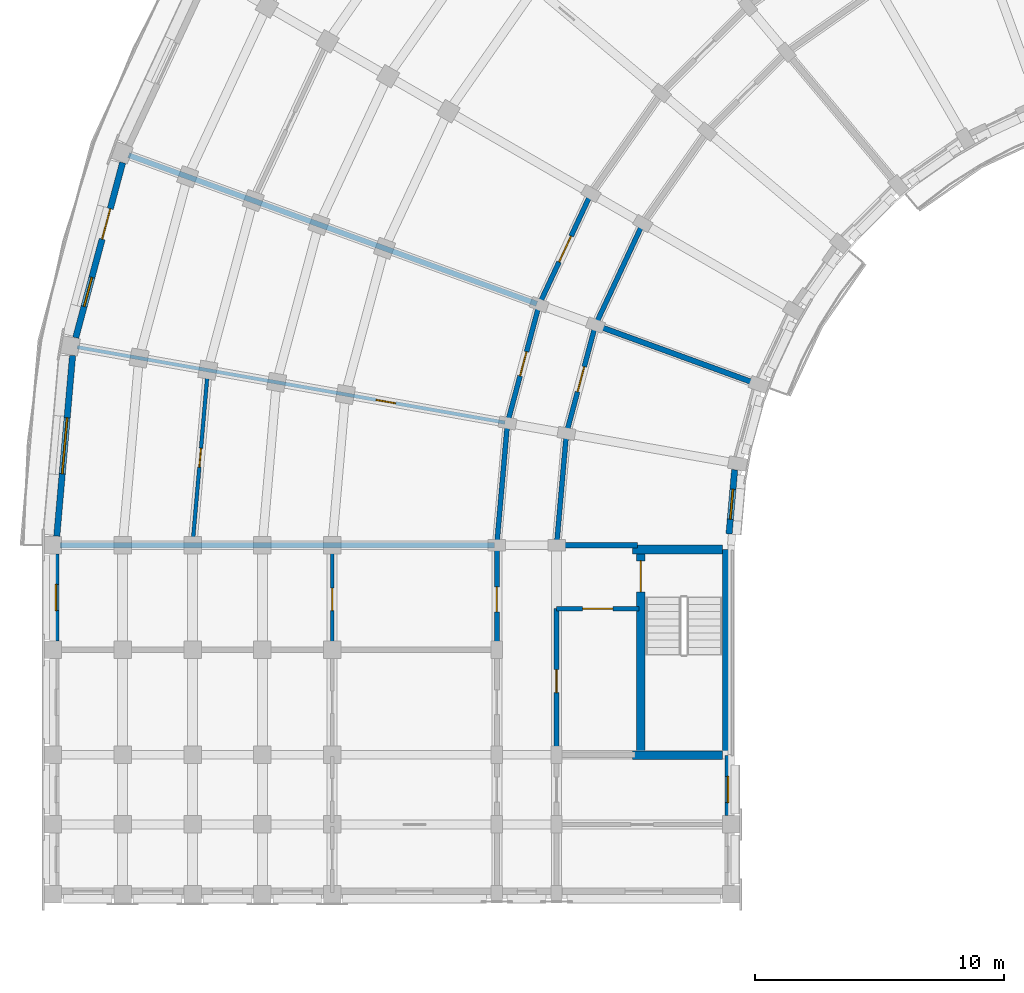
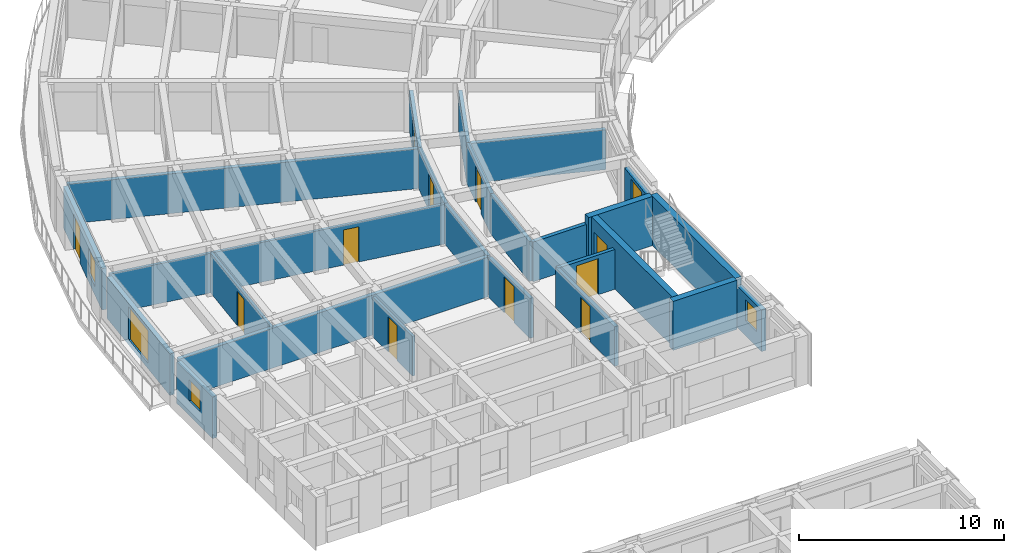
# One storey, part 25 of 57: 25 walls, 11 doors, 5 windows, 16 openings.
"""IFC4 building model written with IfcOpenShell, lengths in metres."""

from ifc_helpers import new_model, si_unit, direction, frame, frame_2d, origin, place, context, subcontext, project, spatial, rectangle, extrude, material, layer, layer_set, type_object, element, fill, save


model = new_model("IFC4")

# Units and contexts
model_context = context("Model", 3, precision=1e-05, world=origin(), true_north=direction((0.0, 1.0)))
body_context = subcontext(model_context, "Body", "Model", "MODEL_VIEW")
ifc_project = project(units=[si_unit("LENGTHUNIT", "METRE"), si_unit("AREAUNIT", "SQUARE_METRE"), si_unit("VOLUMEUNIT", "CUBIC_METRE"), si_unit("PLANEANGLEUNIT", "RADIAN"), si_unit("MASSUNIT", "GRAM", prefix="KILO")], contexts=[model_context])

# Site, building, storey
site_placement = place(None, origin())
site = spatial("IfcSite", under=ifc_project, at=site_placement, CompositionType="ELEMENT")
building_placement = place(site_placement, origin())
building = spatial("IfcBuilding", under=site, at=building_placement, Name="Kiranvali Square Residences", CompositionType="ELEMENT")
storey_placement = place(building_placement, frame((0.0, 0.0, 21.300048828125)))
storey = spatial("IfcBuildingStorey", under=building, at=storey_placement, Name="L06", CompositionType="ELEMENT", Elevation=21.300048828125)

# Wall, opening, door
ifc_material_1 = material(Name="Autoclaved aerated concrete blockwork masonry", Category="masonry")
ifc_layer_1 = layer(ifc_material_1, 0.199951171875)
ifc_layer_set_1 = layer_set([ifc_layer_1], Name="Autoclaved aerated concrete blockwork masonry")
wall_type_1 = type_object("IfcWallType", Name="WL-COR-200", PredefinedType="STANDARD", material=ifc_layer_set_1)
wall_1_placement = place(storey_placement, frame((25.699951171875, 85.25, 0.0), z_axis=(0.0, 0.0, 1.0), x_axis=(-1.0, 0.0, 0.0)))
wall_1 = element("IfcWall", 1, at=wall_1_placement, inside=storey, type_object=wall_type_1, Name="L06 architectural wall WL-L06-A-S3-V", PredefinedType="STANDARD", context=body_context, shape_type="SweptSolid", body=[
    extrude(rectangle(XDim=3.300048828125, YDim=0.199951171875, at=frame_2d((1.64990234375, 0.0))), origin(), (0.0, 0.0, 1.0), 2.3720703125),
])
opening_1_placement = place(wall_1_placement, frame((1.0400390625, 0.0, 0.0)))
opening_1 = element("IfcOpeningElement", 2, at=opening_1_placement, cuts=wall_1, Name="Opening FD-COR-60", PredefinedType="OPENING", context=body_context, shape_type="SweptSolid", body=[
    extrude(rectangle(XDim=1.219970703125, YDim=2.14990234375, at=frame_2d((0.60986328125, 1.074951171875))), frame((0.0, 0.10986328125, 0.0), z_axis=(0.0, -1.0, 0.0), x_axis=(1.0, 0.0, 0.0)), (0.0, 0.0, 1.0), 0.219970703125),
])
ifc_material_2 = material(Name="Fire-rated acoustic hardwood and mineral-core door assembly", Category="wood")
door_type_1 = type_object("IfcDoorType", Name="DR-FD60-1200", OperationType="NOTDEFINED", PredefinedType="DOOR", material=ifc_material_2)
door_1_placement = place(opening_1_placement, frame((1.219970703125, 0.0, 0.0), z_axis=(0.0, 0.0, 1.0), x_axis=(-1.0, 0.0, 0.0)))
door_1 = element("IfcDoor", 3, at=door_1_placement, inside=storey, type_object=door_type_1, Name="L06 door DR-L06-0404 (DR-FD60-1200)", OperationType="SINGLE_SWING_RIGHT", OverallHeight=2.14990234375, OverallWidth=1.219970703125, PredefinedType="DOOR", context=body_context, shape_type="SweptSolid", body=[
    extrude(rectangle(XDim=1.219970703125, YDim=2.14990234375, at=frame_2d((0.60986328125, 1.074951171875))), frame((0.0, 0.02490234375, 0.0), z_axis=(0.0, -1.0, 0.0), x_axis=(1.0, 0.0, 0.0)), (0.0, 0.0, 1.0), 0.050048828125),
])
fill(opening_1, door_1)

wall_2_placement = place(storey_placement, frame((22.39990234375, 85.25, 0.0), z_axis=(0.0, 0.0, 1.0), x_axis=(0.0, -1.0, 0.0)))
wall_2 = element("IfcWall", 4, at=wall_2_placement, inside=storey, type_object=wall_type_1, Name="L06 architectural wall WL-L06-A-S3-COR", PredefinedType="STANDARD", context=body_context, shape_type="SweptSolid", body=[
    extrude(rectangle(XDim=5.800048828125, YDim=0.199951171875, at=frame_2d((2.89990234375, 0.0))), origin(), (0.0, 0.0, 1.0), 2.3720703125),
])
opening_2_placement = place(wall_2_placement, frame((2.43994140625, 0.0, 0.0)))
opening_2 = element("IfcOpeningElement", 5, at=opening_2_placement, cuts=wall_2, Name="Opening FD-SVC-120", PredefinedType="OPENING", context=body_context, shape_type="SweptSolid", body=[
    extrude(rectangle(XDim=0.919921875, YDim=2.10009765625, at=frame_2d((0.4599609375, 1.050048828125))), frame((0.0, 0.10986328125, 0.0), z_axis=(0.0, -1.0, 0.0), x_axis=(1.0, 0.0, 0.0)), (0.0, 0.0, 1.0), 0.219970703125),
])
door_type_2 = type_object("IfcDoorType", Name="DR-SVC-900", OperationType="NOTDEFINED", PredefinedType="DOOR", material=ifc_material_2)
door_2_placement = place(opening_2_placement, origin())
door_2 = element("IfcDoor", 6, at=door_2_placement, inside=storey, type_object=door_type_2, Name="L06 door DR-L06-0405 (DR-SVC-900)", OperationType="SINGLE_SWING_LEFT", OverallHeight=2.10009765625, OverallWidth=0.919921875, PredefinedType="DOOR", context=body_context, shape_type="SweptSolid", body=[
    extrude(rectangle(XDim=0.919921875, YDim=2.10009765625, at=frame_2d((0.4599609375, 1.050048828125))), frame((0.0, 0.02490234375, 0.0), z_axis=(0.0, -1.0, 0.0), x_axis=(1.0, 0.0, 0.0)), (0.0, 0.0, 1.0), 0.050048828125),
])
fill(opening_2, door_2)

# Wall
wall_3_placement = place(storey_placement, frame((25.8564453125, 100.699951171875, 0.0), z_axis=(0.0, 0.0, 1.0), x_axis=(-0.422617978463, -0.906307919131, 0.0)))
element("IfcWall", 7, at=wall_3_placement, inside=storey, type_object=wall_type_1, Name="L06 architectural wall WL-L06-A-CCI-6", PredefinedType="STANDARD", context=body_context, shape_type="SweptSolid", body=[
    extrude(rectangle(XDim=4.497314453125, YDim=0.199951171875, at=frame_2d((2.24853515625, 0.0))), origin(), (0.0, 0.0, 1.0), 2.3720703125),
])

# Wall, opening, door
wall_4_placement = place(storey_placement, frame((23.778076171875, 101.89990234375, 0.0), z_axis=(0.0, 0.0, 1.0), x_axis=(-0.422629854778, -0.906302381024, 0.0)))
wall_4 = element("IfcWall", 8, at=wall_4_placement, inside=storey, type_object=wall_type_1, Name="L06 architectural wall WL-L06-A-CCO-6", PredefinedType="STANDARD", context=body_context, shape_type="SweptSolid", body=[
    extrude(rectangle(XDim=4.915283203125, YDim=0.199951171875, at=frame_2d((2.45751953125, 0.0))), origin(), (0.0, 0.0, 1.0), 2.3720703125),
])
opening_3_placement = place(wall_4_placement, frame((1.8876953125, 0.0, 0.0)))
opening_3 = element("IfcOpeningElement", 9, at=opening_3_placement, cuts=wall_4, Name="Opening FD-APT-60D", PredefinedType="OPENING", context=body_context, shape_type="SweptSolid", body=[
    extrude(rectangle(XDim=1.139892578125, YDim=2.14990234375, at=frame_2d((0.56982421875, 1.074951171875))), frame((0.0, 0.10986328125, 0.0), z_axis=(0.0, -1.0, 0.0), x_axis=(1.0, 0.0, 0.0)), (0.0, 0.0, 1.0), 0.219970703125),
])
door_type_3 = type_object("IfcDoorType", Name="DR-APT-1140", OperationType="NOTDEFINED", PredefinedType="DOOR", material=ifc_material_2)
door_3_placement = place(opening_3_placement, origin())
door_3 = element("IfcDoor", 10, at=door_3_placement, inside=storey, type_object=door_type_3, Name="L06 door DR-L06-0433 (DR-APT-1140)", OperationType="SINGLE_SWING_LEFT", OverallHeight=2.14990234375, OverallWidth=1.139892578125, PredefinedType="DOOR", context=body_context, shape_type="SweptSolid", body=[
    extrude(rectangle(XDim=1.139892578125, YDim=2.14990234375, at=frame_2d((0.56982421875, 1.074951171875))), frame((0.0, 0.02490234375, 0.0), z_axis=(0.0, -1.0, 0.0), x_axis=(1.0, 0.0, 0.0)), (0.0, 0.0, 1.0), 0.050048828125),
])
fill(opening_3, door_3)

wall_5_placement = place(storey_placement, frame((23.955810546875, 96.6240234375, 0.0), z_axis=(0.0, 0.0, 1.0), x_axis=(-0.258787642463, -0.965934240054, 0.0)))
wall_5 = element("IfcWall", 11, at=wall_5_placement, inside=storey, type_object=wall_type_1, Name="L06 architectural wall WL-L06-A-CCI-7", PredefinedType="STANDARD", context=body_context, shape_type="SweptSolid", body=[
    extrude(rectangle(XDim=4.497314453125, YDim=0.199951171875, at=frame_2d((2.24853515625, 0.0))), origin(), (0.0, 0.0, 1.0), 2.3720703125),
])
opening_4_placement = place(wall_5_placement, frame((1.728515625, 0.0, 0.0)))
opening_4 = element("IfcOpeningElement", 12, at=opening_4_placement, cuts=wall_5, Name="Opening FD-APT-60B", PredefinedType="OPENING", context=body_context, shape_type="SweptSolid", body=[
    extrude(rectangle(XDim=1.0400390625, YDim=2.14990234375, at=frame_2d((0.52001953125, 1.074951171875))), frame((0.0, 0.10986328125, 0.0), z_axis=(0.0, -1.0, 0.0), x_axis=(1.0, 0.0, 0.0)), (0.0, 0.0, 1.0), 0.219970703125),
])
door_type_4 = type_object("IfcDoorType", Name="DR-APT-1040", OperationType="NOTDEFINED", PredefinedType="DOOR", material=ifc_material_2)
door_4_placement = place(opening_4_placement, frame((1.0400390625, 0.0, 0.0), z_axis=(0.0, 0.0, 1.0), x_axis=(-1.0, 0.0, 0.0)))
door_4 = element("IfcDoor", 13, at=door_4_placement, inside=storey, type_object=door_type_4, Name="L06 door DR-L06-0440 (DR-APT-1040)", OperationType="SINGLE_SWING_RIGHT", OverallHeight=2.14990234375, OverallWidth=1.0400390625, PredefinedType="DOOR", context=body_context, shape_type="SweptSolid", body=[
    extrude(rectangle(XDim=1.0400390625, YDim=2.14990234375, at=frame_2d((0.52001953125, 1.074951171875))), frame((0.0, 0.02490234375, 0.0), z_axis=(0.0, -1.0, 0.0), x_axis=(1.0, 0.0, 0.0)), (0.0, 0.0, 1.0), 0.050048828125),
])
fill(opening_4, door_4)

wall_6_placement = place(storey_placement, frame((21.70068359375, 97.445068359375, 0.0), z_axis=(0.0, 0.0, 1.0), x_axis=(-0.258803112091, -0.965930095386, 0.0)))
wall_6 = element("IfcWall", 14, at=wall_6_placement, inside=storey, type_object=wall_type_1, Name="L06 architectural wall WL-L06-A-CCO-7", PredefinedType="STANDARD", context=body_context, shape_type="SweptSolid", body=[
    extrude(rectangle(XDim=4.915771484375, YDim=0.199951171875, at=frame_2d((2.4580078125, 0.0))), origin(), (0.0, 0.0, 1.0), 2.3720703125),
])
opening_5_placement = place(wall_6_placement, frame((1.957763671875, 0.0, 0.0)))
opening_5 = element("IfcOpeningElement", 15, at=opening_5_placement, cuts=wall_6, Name="Opening FD-APT-60", PredefinedType="OPENING", context=body_context, shape_type="SweptSolid", body=[
    extrude(rectangle(XDim=1.0, YDim=2.14990234375, at=frame_2d((0.5, 1.074951171875))), frame((0.0, 0.10986328125, 0.0), z_axis=(0.0, -1.0, 0.0), x_axis=(1.0, 0.0, 0.0)), (0.0, 0.0, 1.0), 0.219970703125),
])
door_type_5 = type_object("IfcDoorType", Name="DR-APT-1000", OperationType="NOTDEFINED", PredefinedType="DOOR", material=ifc_material_2)
door_5_placement = place(opening_5_placement, origin())
door_5 = element("IfcDoor", 16, at=door_5_placement, inside=storey, type_object=door_type_5, Name="L06 door DR-L06-0435 (DR-APT-1000)", OperationType="SINGLE_SWING_LEFT", OverallHeight=2.14990234375, OverallWidth=1.0, PredefinedType="DOOR", context=body_context, shape_type="SweptSolid", body=[
    extrude(rectangle(XDim=1.0, YDim=2.14990234375, at=frame_2d((0.5, 1.074951171875))), frame((0.0, 0.02490234375, 0.0), z_axis=(0.0, -1.0, 0.0), x_axis=(1.0, 0.0, 0.0)), (0.0, 0.0, 1.0), 0.050048828125),
])
fill(opening_5, door_5)

# Walls
wall_7_placement = place(storey_placement, frame((22.7919921875, 92.280029296875, 0.0), z_axis=(0.0, 0.0, 1.0), x_axis=(-0.087187153726, -0.996191949488, 0.0)))
element("IfcWall", 17, at=wall_7_placement, inside=storey, type_object=wall_type_1, Name="L06 architectural wall WL-L06-A-CCI-8", PredefinedType="STANDARD", context=body_context, shape_type="SweptSolid", body=[
    extrude(rectangle(XDim=4.4970703125, YDim=0.199951171875, at=frame_2d((2.24853515625, 0.0))), origin(), (0.0, 0.0, 1.0), 2.3720703125),
])
wall_8_placement = place(storey_placement, frame((20.428466796875, 92.69677734375, 0.0), z_axis=(0.0, 0.0, 1.0), x_axis=(-0.087167566415, -0.996193663584, 0.0)))
element("IfcWall", 18, at=wall_8_placement, inside=storey, type_object=wall_type_1, Name="L06 architectural wall WL-L06-A-CCO-8", PredefinedType="STANDARD", context=body_context, shape_type="SweptSolid", body=[
    extrude(rectangle(XDim=4.91552734375, YDim=0.199951171875, at=frame_2d((2.457763671875, 0.0))), origin(), (0.0, 0.0, 1.0), 2.3720703125),
])

# Wall, opening, door
wall_9_placement = place(storey_placement, frame((20.0, 87.64990234375, 0.0), z_axis=(0.0, 0.0, 1.0), x_axis=(0.0, -1.0, 0.0)))
wall_9 = element("IfcWall", 19, at=wall_9_placement, inside=storey, type_object=wall_type_1, Name="L06 architectural wall WL-L06-A-A2CF-C0", PredefinedType="STANDARD", context=body_context, shape_type="SweptSolid", body=[
    extrude(rectangle(XDim=4.0498046875, YDim=0.199951171875, at=frame_2d((2.02490234375, 0.0))), origin(), (0.0, 0.0, 1.0), 2.3720703125),
])
opening_6_placement = place(wall_9_placement, frame((1.52490234375, 0.0, 0.0)))
opening_6 = element("IfcOpeningElement", 20, at=opening_6_placement, cuts=wall_9, Name="Opening FD-APT-60", PredefinedType="OPENING", context=body_context, shape_type="SweptSolid", body=[
    extrude(rectangle(XDim=1.0, YDim=2.14990234375, at=frame_2d((0.5, 1.074951171875))), frame((0.0, 0.10986328125, 0.0), z_axis=(0.0, -1.0, 0.0), x_axis=(1.0, 0.0, 0.0)), (0.0, 0.0, 1.0), 0.219970703125),
])
door_6_placement = place(opening_6_placement, origin())
door_6 = element("IfcDoor", 21, at=door_6_placement, inside=storey, type_object=door_type_5, Name="L06 door DR-L06-0441 (DR-APT-1000)", OperationType="SINGLE_SWING_LEFT", OverallHeight=2.14990234375, OverallWidth=1.0, PredefinedType="DOOR", context=body_context, shape_type="SweptSolid", body=[
    extrude(rectangle(XDim=1.0, YDim=2.14990234375, at=frame_2d((0.5, 1.074951171875))), frame((0.0, 0.02490234375, 0.0), z_axis=(0.0, -1.0, 0.0), x_axis=(1.0, 0.0, 0.0)), (0.0, 0.0, 1.0), 0.050048828125),
])
fill(opening_6, door_6)

# Walls
ifc_layer_2 = layer(ifc_material_1, 0.219970703125)
ifc_layer_set_2 = layer_set([ifc_layer_2], Name="Autoclaved aerated concrete blockwork masonry")
wall_type_2 = type_object("IfcWallType", Name="WL-DEM-220", PredefinedType="STANDARD", material=ifc_layer_set_2)
wall_10_placement = place(storey_placement, frame((30.345947265625, 94.29833984375, 0.0), z_axis=(0.0, 0.0, 1.0), x_axis=(-0.939696231917, 0.342010221662, 0.0)))
element("IfcWall", 22, at=wall_10_placement, inside=storey, type_object=wall_type_2, Name="L06 architectural wall WL-L06-A-RADI-7", PredefinedType="STANDARD", context=body_context, shape_type="SweptSolid", body=[
    extrude(rectangle(XDim=6.75, YDim=0.219970703125, at=frame_2d((3.375, 0.0))), origin(), (0.0, 0.0, 1.0), 2.3720703125),
])
wall_11_placement = place(storey_placement, frame((21.606689453125, 97.479248046875, 0.0), z_axis=(0.0, 0.0, 1.0), x_axis=(-0.939691901159, 0.342022120477, 0.0)))
element("IfcWall", 23, at=wall_11_placement, inside=storey, type_object=wall_type_2, Name="L06 architectural wall WL-L06-A-RADO-7", PredefinedType="STANDARD", context=body_context, shape_type="SweptSolid", body=[
    extrude(rectangle(XDim=17.419921875, YDim=0.219970703125, at=frame_2d((8.7099609375, 0.0))), origin(), (0.0, 0.0, 1.0), 2.3720703125),
])
wall_12_placement = place(storey_placement, frame((25.64990234375, 87.800048828125, 0.0), z_axis=(0.0, 0.0, 1.0), x_axis=(-1.0, 0.0, 0.0)))
element("IfcWall", 24, at=wall_12_placement, inside=storey, type_object=wall_type_2, Name="L06 architectural wall WL-L06-A-RADI-9", PredefinedType="STANDARD", context=body_context, shape_type="SweptSolid", body=[
    extrude(rectangle(XDim=3.199951171875, YDim=0.219970703125, at=frame_2d((1.60009765625, 0.0))), origin(), (0.0, 0.0, 1.0), 2.3720703125),
])
wall_13_placement = place(storey_placement, frame((19.89990234375, 87.800048828125, 0.0), z_axis=(0.0, 0.0, 1.0), x_axis=(-1.0, 0.0, 0.0)))
element("IfcWall", 25, at=wall_13_placement, inside=storey, type_object=wall_type_2, Name="L06 architectural wall WL-L06-A-RADO-9", PredefinedType="STANDARD", context=body_context, shape_type="SweptSolid", body=[
    extrude(rectangle(XDim=17.419921875, YDim=0.219970703125, at=frame_2d((8.7099609375, 0.0))), origin(), (0.0, 0.0, 1.0), 2.3720703125),
])

# Wall, openings, door, window
ifc_material_3 = material(Name="Breathable lime-rendered clay brick masonry", Category="masonry")
ifc_layer_3 = layer(ifc_material_3, 0.25)
ifc_layer_set_3 = layer_set([ifc_layer_3], Name="Breathable lime-rendered clay brick masonry")
wall_type_3 = type_object("IfcWallType", Name="WL-EXT-250", PredefinedType="STANDARD", material=ifc_layer_set_3)
wall_14_placement = place(storey_placement, frame((4.99755859375, 103.137451171875, 0.0), z_axis=(0.0, 0.0, 1.0), x_axis=(-0.258802140196, -0.965930355787, 0.0)))
wall_14 = element("IfcWall", 26, at=wall_14_placement, inside=storey, type_object=wall_type_3, Name="L06 exterior wall A-L06-CRV-07", PredefinedType="STANDARD", context=body_context, shape_type="SweptSolid", body=[
    extrude(rectangle(XDim=7.2666015625, YDim=0.25, at=frame_2d((3.63330078125, 0.0))), origin(), (0.0, 0.0, 1.0), 2.471923828125),
])
opening_7_placement = place(wall_14_placement, frame((4.765625, 0.0, 0.52197265625)))
opening_7 = element("IfcOpeningElement", 27, at=opening_7_placement, cuts=wall_14, Name="Opening W-06", PredefinedType="OPENING", context=body_context, shape_type="SweptSolid", body=[
    extrude(rectangle(XDim=1.199951171875, YDim=1.5, at=frame_2d((0.60009765625, 0.75))), frame((0.0, 0.135009765625, 0.0), z_axis=(0.0, -1.0, 0.0), x_axis=(1.0, 0.0, 0.0)), (0.0, 0.0, 1.0), 0.27001953125),
])
opening_8_placement = place(wall_14_placement, frame((1.913330078125, 0.0, 0.0)))
opening_8 = element("IfcOpeningElement", 28, at=opening_8_placement, cuts=wall_14, Name="Opening ED-BAL-2", PredefinedType="OPENING", context=body_context, shape_type="SweptSolid", body=[
    extrude(rectangle(XDim=1.260009765625, YDim=2.14990234375, at=frame_2d((0.6298828125, 1.074951171875))), frame((0.0, 0.135009765625, 0.0), z_axis=(0.0, -1.0, 0.0), x_axis=(1.0, 0.0, 0.0)), (0.0, 0.0, 1.0), 0.27001953125),
])
ifc_material_4 = material(Name="Anodised bronze aluminium framing", Category="aluminium")
door_type_6 = type_object("IfcDoorType", Name="DR-BAL-1260", OperationType="NOTDEFINED", PredefinedType="DOOR", material=ifc_material_4)
door_7_placement = place(opening_8_placement, frame((1.260009765625, 0.0, 0.0), z_axis=(0.0, 0.0, 1.0), x_axis=(-1.0, 0.0, 0.0)))
door_7 = element("IfcDoor", 29, at=door_7_placement, inside=storey, type_object=door_type_6, Name="L06 balcony terrace door", OperationType="SINGLE_SWING_LEFT", OverallHeight=2.14990234375, OverallWidth=1.260009765625, PredefinedType="DOOR", context=body_context, shape_type="SweptSolid", body=[
    extrude(rectangle(XDim=1.260009765625, YDim=2.14990234375, at=frame_2d((0.6298828125, 1.074951171875))), frame((0.0, 0.02490234375, 0.0), z_axis=(0.0, -1.0, 0.0), x_axis=(1.0, 0.0, 0.0)), (0.0, 0.0, 1.0), 0.050048828125),
])
fill(opening_8, door_7)
ifc_material_5 = material(Name="Solar-control low-e double glazing", Category="glass")
window_type_1 = type_object("IfcWindowType", Name="WIN-RES-1200x1500", PartitioningType="SINGLE_PANEL", PredefinedType="WINDOW", material=ifc_material_5)
window_1_placement = place(opening_7_placement, origin())
window_1 = element("IfcWindow", 30, at=window_1_placement, inside=storey, type_object=window_type_1, Name="L06 recessed window A-L06-CRV-07", OverallHeight=1.5, OverallWidth=1.199951171875, PartitioningType="SINGLE_PANEL", PredefinedType="WINDOW", context=body_context, shape_type="SweptSolid", body=[
    extrude(rectangle(XDim=1.199951171875, YDim=1.5, at=frame_2d((0.60009765625, 0.75))), frame((0.0, 0.030029296875, 0.0), z_axis=(0.0, -1.0, 0.0), x_axis=(1.0, 0.0, 0.0)), (0.0, 0.0, 1.0), 0.06005859375),
])
fill(opening_7, window_1)

# Wall, opening, window
wall_15_placement = place(storey_placement, frame((2.99072265625, 95.402587890625, 0.0), z_axis=(0.0, 0.0, 1.0), x_axis=(-0.08718487158, -0.99619214922, 0.0)))
wall_15 = element("IfcWall", 31, at=wall_15_placement, inside=storey, type_object=wall_type_3, Name="L06 exterior wall A-L06-CRV-08", PredefinedType="STANDARD", context=body_context, shape_type="SweptSolid", body=[
    extrude(rectangle(XDim=7.2666015625, YDim=0.25, at=frame_2d((3.63330078125, 0.0))), origin(), (0.0, 0.0, 1.0), 2.471923828125),
])
opening_9_placement = place(wall_15_placement, frame((2.50830078125, 0.0, 0.322021484375)))
opening_9 = element("IfcOpeningElement", 32, at=opening_9_placement, cuts=wall_15, Name="Opening W-11", PredefinedType="OPENING", context=body_context, shape_type="SweptSolid", body=[
    extrude(rectangle(XDim=2.25, YDim=1.949951171875, at=frame_2d((1.125, 0.97509765625))), frame((0.0, 0.135009765625, 0.0), z_axis=(0.0, -1.0, 0.0), x_axis=(1.0, 0.0, 0.0)), (0.0, 0.0, 1.0), 0.27001953125),
])
window_type_2 = type_object("IfcWindowType", Name="WIN-RES-2250x1950", PartitioningType="TRIPLE_PANEL_VERTICAL", PredefinedType="WINDOW", material=ifc_material_5)
window_2_placement = place(opening_9_placement, origin())
window_2 = element("IfcWindow", 33, at=window_2_placement, inside=storey, type_object=window_type_2, Name="L06 recessed window A-L06-CRV-08", OverallHeight=1.949951171875, OverallWidth=2.25, PartitioningType="TRIPLE_PANEL_VERTICAL", PredefinedType="WINDOW", context=body_context, shape_type="SweptSolid", body=[
    extrude(rectangle(XDim=2.25, YDim=1.949951171875, at=frame_2d((1.125, 0.97509765625))), frame((0.0, 0.030029296875, 0.0), z_axis=(0.0, -1.0, 0.0), x_axis=(1.0, 0.0, 0.0)), (0.0, 0.0, 1.0), 0.06005859375),
])
fill(opening_9, window_2)

wall_16_placement = place(storey_placement, frame((29.5390625, 90.82275390625, 0.0), z_axis=(0.0, 0.0, 1.0), x_axis=(-0.087229084652, -0.996188278786, 0.0)))
wall_16 = element("IfcWall", 34, at=wall_16_placement, inside=storey, type_object=wall_type_3, Name="L06 exterior wall A-L06-GDN-08", PredefinedType="STANDARD", context=body_context, shape_type="SweptSolid", body=[
    extrude(rectangle(XDim=2.583251953125, YDim=0.25, at=frame_2d((1.29150390625, 0.0))), origin(), (0.0, 0.0, 1.0), 2.471923828125),
])
opening_10_placement = place(wall_16_placement, frame((0.784912109375, 0.0, 0.77197265625)))
opening_10 = element("IfcOpeningElement", 35, at=opening_10_placement, cuts=wall_16, Name="Opening W-06", PredefinedType="OPENING", context=body_context, shape_type="SweptSolid", body=[
    extrude(rectangle(XDim=1.199951171875, YDim=1.5, at=frame_2d((0.60009765625, 0.75))), frame((0.0, 0.135009765625, 0.0), z_axis=(0.0, -1.0, 0.0), x_axis=(1.0, 0.0, 0.0)), (0.0, 0.0, 1.0), 0.27001953125),
])
window_3_placement = place(opening_10_placement, origin())
window_3 = element("IfcWindow", 36, at=window_3_placement, inside=storey, type_object=window_type_1, Name="L06 recessed window A-L06-GDN-08", OverallHeight=1.5, OverallWidth=1.199951171875, PartitioningType="SINGLE_PANEL", PredefinedType="WINDOW", context=body_context, shape_type="SweptSolid", body=[
    extrude(rectangle(XDim=1.199951171875, YDim=1.5, at=frame_2d((0.60009765625, 0.75))), frame((0.0, 0.030029296875, 0.0), z_axis=(0.0, -1.0, 0.0), x_axis=(1.0, 0.0, 0.0)), (0.0, 0.0, 1.0), 0.06005859375),
])
fill(opening_10, window_3)

wall_17_placement = place(storey_placement, frame((2.324951171875, 87.446533203125, 0.0), z_axis=(0.0, 0.0, 1.0), x_axis=(0.0, -1.0, 0.0)))
wall_17 = element("IfcWall", 37, at=wall_17_placement, inside=storey, type_object=wall_type_3, Name="L06 exterior wall A-L06-A2O-0", PredefinedType="STANDARD", context=body_context, shape_type="SweptSolid", body=[
    extrude(rectangle(XDim=3.492919921875, YDim=0.25, at=frame_2d((1.74658203125, 0.0))), origin(), (0.0, 0.0, 1.0), 2.471923828125),
])
opening_11_placement = place(wall_17_placement, frame((1.221435546875, 0.0, 0.8798828125)))
opening_11 = element("IfcOpeningElement", 38, at=opening_11_placement, cuts=wall_17, Name="Opening W-24", PredefinedType="OPENING", context=body_context, shape_type="SweptSolid", body=[
    extrude(rectangle(XDim=1.050048828125, YDim=1.25, at=frame_2d((0.52490234375, 0.625))), frame((0.0, 0.135009765625, 0.0), z_axis=(0.0, -1.0, 0.0), x_axis=(1.0, 0.0, 0.0)), (0.0, 0.0, 1.0), 0.27001953125),
])
window_type_3 = type_object("IfcWindowType", Name="WIN-COR-1050x1250", PartitioningType="SINGLE_PANEL", PredefinedType="WINDOW", material=ifc_material_5)
window_4_placement = place(opening_11_placement, origin())
window_4 = element("IfcWindow", 39, at=window_4_placement, inside=storey, type_object=window_type_3, Name="L06 recessed window A-L06-A2O-0", OverallHeight=1.25, OverallWidth=1.050048828125, PartitioningType="SINGLE_PANEL", PredefinedType="WINDOW", context=body_context, shape_type="SweptSolid", body=[
    extrude(rectangle(XDim=1.050048828125, YDim=1.25, at=frame_2d((0.52490234375, 0.625))), frame((0.0, 0.030029296875, 0.0), z_axis=(0.0, -1.0, 0.0), x_axis=(1.0, 0.0, 0.0)), (0.0, 0.0, 1.0), 0.06005859375),
])
fill(opening_11, window_4)

wall_18_placement = place(storey_placement, frame((29.27490234375, 79.37158203125, 0.0), z_axis=(0.0, 0.0, 1.0), x_axis=(0.0, -1.0, 0.0)))
wall_18 = element("IfcWall", 40, at=wall_18_placement, inside=storey, type_object=wall_type_3, Name="L06 exterior wall A-L06-A2I-0", PredefinedType="STANDARD", context=body_context, shape_type="SweptSolid", body=[
    extrude(rectangle(XDim=2.41796875, YDim=0.25, at=frame_2d((1.208984375, 0.0))), origin(), (0.0, 0.0, 1.0), 2.471923828125),
])
opening_12_placement = place(wall_18_placement, frame((0.846435546875, 0.0, 0.8798828125)))
opening_12 = element("IfcOpeningElement", 41, at=opening_12_placement, cuts=wall_18, Name="Opening W-24", PredefinedType="OPENING", context=body_context, shape_type="SweptSolid", body=[
    extrude(rectangle(XDim=1.050048828125, YDim=1.25, at=frame_2d((0.52490234375, 0.625))), frame((0.0, 0.135009765625, 0.0), z_axis=(0.0, -1.0, 0.0), x_axis=(1.0, 0.0, 0.0)), (0.0, 0.0, 1.0), 0.27001953125),
])
window_5_placement = place(opening_12_placement, origin())
window_5 = element("IfcWindow", 42, at=window_5_placement, inside=storey, type_object=window_type_3, Name="L06 recessed window A-L06-A2I-0", OverallHeight=1.25, OverallWidth=1.050048828125, PartitioningType="SINGLE_PANEL", PredefinedType="WINDOW", context=body_context, shape_type="SweptSolid", body=[
    extrude(rectangle(XDim=1.050048828125, YDim=1.25, at=frame_2d((0.52490234375, 0.625))), frame((0.0, 0.030029296875, 0.0), z_axis=(0.0, -1.0, 0.0), x_axis=(1.0, 0.0, 0.0)), (0.0, 0.0, 1.0), 0.06005859375),
])
fill(opening_12, window_5)

# Wall, opening, door
ifc_material_6 = material(Name="Acoustic gypsum board drylined partition", Category="gypsum")
ifc_layer_4 = layer(ifc_material_6, 0.14990234375)
ifc_layer_set_4 = layer_set([ifc_layer_4], Name="Acoustic gypsum board drylined partition")
wall_type_4 = type_object("IfcWallType", Name="WL-PRT-150", PredefinedType="PARTITIONING", material=ifc_layer_set_4)
wall_19_placement = place(storey_placement, frame((20.329833984375, 92.71435546875, 0.0), z_axis=(0.0, 0.0, 1.0), x_axis=(-0.984808098809, 0.173646216546, 0.0)))
wall_19 = element("IfcWall", 43, at=wall_19_placement, inside=storey, type_object=wall_type_4, Name="L06 architectural wall WL-L06-A-RADO-8", PredefinedType="PARTITIONING", context=body_context, shape_type="SweptSolid", body=[
    extrude(rectangle(XDim=17.419921875, YDim=0.14990234375, at=frame_2d((8.7099609375, 0.0))), origin(), (0.0, 0.0, 1.0), 2.3720703125),
])
opening_13_placement = place(wall_19_placement, frame((4.44970703125, 0.0, 0.0)))
opening_13 = element("IfcOpeningElement", 44, at=opening_13_placement, cuts=wall_19, Name="Opening ID-WET", PredefinedType="OPENING", context=body_context, shape_type="SweptSolid", body=[
    extrude(rectangle(XDim=0.800048828125, YDim=2.10009765625, at=frame_2d((0.39990234375, 1.050048828125))), frame((0.0, 0.0849609375, 0.0), z_axis=(0.0, -1.0, 0.0), x_axis=(1.0, 0.0, 0.0)), (0.0, 0.0, 1.0), 0.169921875),
])
ifc_material_7 = material(Name="Solid seasoned teak hardwood joinery", Category="wood")
door_type_7 = type_object("IfcDoorType", Name="DR-WET-800", OperationType="NOTDEFINED", PredefinedType="DOOR", material=ifc_material_7)
door_8_placement = place(opening_13_placement, frame((0.800048828125, 0.0, 0.0), z_axis=(0.0, 0.0, 1.0), x_axis=(-1.0, 0.0, 0.0)))
door_8 = element("IfcDoor", 45, at=door_8_placement, inside=storey, type_object=door_type_7, Name="L06 door DR-L06-0426 (DR-WET-800)", OperationType="SINGLE_SWING_RIGHT", OverallHeight=2.10009765625, OverallWidth=0.800048828125, PredefinedType="DOOR", context=body_context, shape_type="SweptSolid", body=[
    extrude(rectangle(XDim=0.800048828125, YDim=2.10009765625, at=frame_2d((0.39990234375, 1.050048828125))), frame((0.0, 0.02490234375, 0.0), z_axis=(0.0, -1.0, 0.0), x_axis=(1.0, 0.0, 0.0)), (0.0, 0.0, 1.0), 0.050048828125),
])
fill(opening_13, door_8)

wall_20_placement = place(storey_placement, frame((13.39990234375, 87.570068359375, 0.0), z_axis=(0.0, 0.0, 1.0), x_axis=(0.0, -1.0, 0.0)))
wall_20 = element("IfcWall", 46, at=wall_20_placement, inside=storey, type_object=wall_type_4, Name="L06 architectural wall WL-L06-A-A2CF-SP0", PredefinedType="PARTITIONING", context=body_context, shape_type="SweptSolid", body=[
    extrude(rectangle(XDim=3.89013671875, YDim=0.14990234375, at=frame_2d((1.945068359375, 0.0))), origin(), (0.0, 0.0, 1.0), 2.3720703125),
])
opening_14_placement = place(wall_20_placement, frame((1.4951171875, 0.0, 0.0)))
opening_14 = element("IfcOpeningElement", 47, at=opening_14_placement, cuts=wall_20, Name="Opening ID-1", PredefinedType="OPENING", context=body_context, shape_type="SweptSolid", body=[
    extrude(rectangle(XDim=0.89990234375, YDim=2.10009765625, at=frame_2d((0.449951171875, 1.050048828125))), frame((0.0, 0.0849609375, 0.0), z_axis=(0.0, -1.0, 0.0), x_axis=(1.0, 0.0, 0.0)), (0.0, 0.0, 1.0), 0.169921875),
])
door_type_8 = type_object("IfcDoorType", Name="DR-INT-900", OperationType="NOTDEFINED", PredefinedType="DOOR", material=ifc_material_7)
door_9_placement = place(opening_14_placement, frame((0.89990234375, 0.0, 0.0), z_axis=(0.0, 0.0, 1.0), x_axis=(-1.0, 0.0, 0.0)))
door_9 = element("IfcDoor", 48, at=door_9_placement, inside=storey, type_object=door_type_8, Name="L06 door DR-L06-0442 (DR-INT-900)", OperationType="SINGLE_SWING_RIGHT", OverallHeight=2.10009765625, OverallWidth=0.89990234375, PredefinedType="DOOR", context=body_context, shape_type="SweptSolid", body=[
    extrude(rectangle(XDim=0.89990234375, YDim=2.10009765625, at=frame_2d((0.449951171875, 1.050048828125))), frame((0.0, 0.02490234375, 0.0), z_axis=(0.0, -1.0, 0.0), x_axis=(1.0, 0.0, 0.0)), (0.0, 0.0, 1.0), 0.050048828125),
])
fill(opening_14, door_9)

# Wall
ifc_material_8 = material(Name="Concrete M45 (45 MPa)", Category="concrete")
ifc_layer_5 = layer(ifc_material_8, 0.320068359375)
ifc_layer_set_5 = layer_set([ifc_layer_5], Name="Concrete M45 (45 MPa)")
wall_type_5 = type_object("IfcWallType", Name="WL-SHR-320", PredefinedType="SHEAR", material=ifc_layer_set_5)
wall_21_placement = place(storey_placement, frame((29.22509765625, 87.625, 0.0), z_axis=(0.0, 0.0, 1.0), x_axis=(0.0, -1.0, 0.0)))
element("IfcWall", 49, at=wall_21_placement, inside=storey, type_object=wall_type_5, Name="Block A core shear wall SW-A3-OUT-L06", PredefinedType="SHEAR", context=body_context, shape_type="SweptSolid", body=[
    extrude(rectangle(XDim=8.25, YDim=0.35009765625, at=frame_2d((4.125, 0.0))), origin(), (0.0, 0.0, 1.0), 2.929931640625),
])

# Wall, opening, door
wall_22_placement = place(storey_placement, frame((25.77490234375, 87.449951171875, 0.0), z_axis=(0.0, 0.0, 1.0), x_axis=(0.0, -1.0, 0.0)))
wall_22 = element("IfcWall", 50, at=wall_22_placement, inside=storey, type_object=wall_type_5, Name="Block A core shear wall SW-A3-IN-L06", PredefinedType="SHEAR", context=body_context, shape_type="SweptSolid", body=[
    extrude(rectangle(XDim=7.89990234375, YDim=0.35009765625, at=frame_2d((3.949951171875, 0.0))), origin(), (0.0, 0.0, 1.0), 2.929931640625),
])
opening_15_placement = place(wall_22_placement, frame((0.280029296875, 0.0, 0.0)))
opening_15 = element("IfcOpeningElement", 51, at=opening_15_placement, cuts=wall_22, Name="Opening FD-ST-120", PredefinedType="OPENING", context=body_context, shape_type="SweptSolid", body=[
    extrude(rectangle(XDim=1.239990234375, YDim=2.14990234375, at=frame_2d((0.6201171875, 1.074951171875))), frame((0.0, 0.18505859375, 0.0), z_axis=(0.0, -1.0, 0.0), x_axis=(1.0, 0.0, 0.0)), (0.0, 0.0, 1.0), 0.3701171875),
])
door_type_9 = type_object("IfcDoorType", Name="DR-FD120-1200", OperationType="NOTDEFINED", PredefinedType="DOOR", material=ifc_material_2)
door_10_placement = place(opening_15_placement, origin())
door_10 = element("IfcDoor", 52, at=door_10_placement, inside=storey, type_object=door_type_9, Name="L06 door DR-L06-0400 (DR-FD120-1200)", OperationType="SINGLE_SWING_RIGHT", OverallHeight=2.14990234375, OverallWidth=1.239990234375, PredefinedType="DOOR", context=body_context, shape_type="SweptSolid", body=[
    extrude(rectangle(XDim=1.239990234375, YDim=2.14990234375, at=frame_2d((0.6201171875, 1.074951171875))), frame((0.0, 0.02490234375, 0.0), z_axis=(0.0, -1.0, 0.0), x_axis=(1.0, 0.0, 0.0)), (0.0, 0.0, 1.0), 0.050048828125),
])
fill(opening_15, door_10)

# Walls
for number, where, z_axis, x_axis, name in (
    (53, (29.050048828125, 87.625, 0.0), (0.0, 0.0, 1.0), (-1.0, 0.0, 0.0), "Block A core shear wall SW-A3-NEAR-L06"),
    (54, (29.050048828125, 79.375, 0.0), (0.0, 0.0, 1.0), (-1.0, 0.0, 0.0), "Block A core shear wall SW-A3-FAR-L06"),
):
    element("IfcWall", number, at=place(storey_placement, frame(where, z_axis=z_axis, x_axis=x_axis)), inside=storey, type_object=wall_type_5, Name=name, PredefinedType="SHEAR", context=body_context, shape_type="SweptSolid", body=[
        extrude(rectangle(XDim=3.60009765625, YDim=0.35009765625, at=frame_2d((1.800048828125, 0.0))), origin(), (0.0, 0.0, 1.0), 2.929931640625),
    ])

# Wall, opening, door
ifc_layer_6 = layer(ifc_material_1, 0.14990234375)
ifc_layer_set_6 = layer_set([ifc_layer_6], Name="Autoclaved aerated concrete blockwork masonry")
wall_type_6 = type_object("IfcWallType", Name="WL-WET-150", PredefinedType="PLUMBINGWALL", material=ifc_layer_set_6)
wall_23_placement = place(storey_placement, frame((8.413818359375, 94.8154296875, 0.0), z_axis=(0.0, 0.0, 1.0), x_axis=(-0.087156198737, -0.996194658198, 0.0)))
wall_23 = element("IfcWall", 55, at=wall_23_placement, inside=storey, type_object=wall_type_6, Name="L06 architectural wall WL-L06-A-CWET-8", PredefinedType="PLUMBINGWALL", context=body_context, shape_type="SweptSolid", body=[
    extrude(rectangle(XDim=7.042236328125, YDim=0.14990234375, at=frame_2d((3.52099609375, 0.0))), origin(), (0.0, 0.0, 1.0), 2.3720703125),
])
opening_16_placement = place(wall_23_placement, frame((3.14111328125, 0.0, 0.0)))
opening_16 = element("IfcOpeningElement", 56, at=opening_16_placement, cuts=wall_23, Name="Opening ID-WET0", PredefinedType="OPENING", context=body_context, shape_type="SweptSolid", body=[
    extrude(rectangle(XDim=0.760009765625, YDim=2.050048828125, at=frame_2d((0.3798828125, 1.02490234375))), frame((0.0, 0.0849609375, 0.0), z_axis=(0.0, -1.0, 0.0), x_axis=(1.0, 0.0, 0.0)), (0.0, 0.0, 1.0), 0.169921875),
])
door_type_10 = type_object("IfcDoorType", Name="DR-WET-760", OperationType="NOTDEFINED", PredefinedType="DOOR", material=ifc_material_7)
door_11_placement = place(opening_16_placement, frame((0.760009765625, 0.0, 0.0), z_axis=(0.0, 0.0, 1.0), x_axis=(-1.0, 0.0, 0.0)))
door_11 = element("IfcDoor", 57, at=door_11_placement, inside=storey, type_object=door_type_10, Name="L06 door DR-L06-0436 (DR-WET-760)", OperationType="SINGLE_SWING_RIGHT", OverallHeight=2.050048828125, OverallWidth=0.760009765625, PredefinedType="DOOR", context=body_context, shape_type="SweptSolid", body=[
    extrude(rectangle(XDim=0.760009765625, YDim=2.050048828125, at=frame_2d((0.3798828125, 1.02490234375))), frame((0.0, 0.02490234375, 0.0), z_axis=(0.0, -1.0, 0.0), x_axis=(1.0, 0.0, 0.0)), (0.0, 0.0, 1.0), 0.050048828125),
])
fill(opening_16, door_11)

save(model, "model.ifc")
